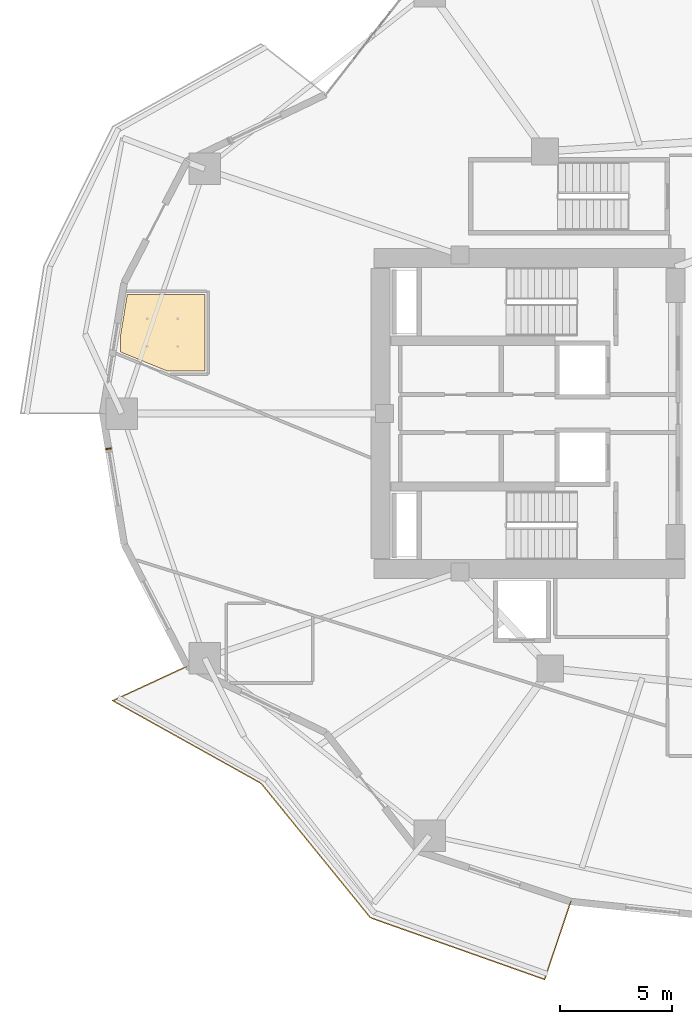
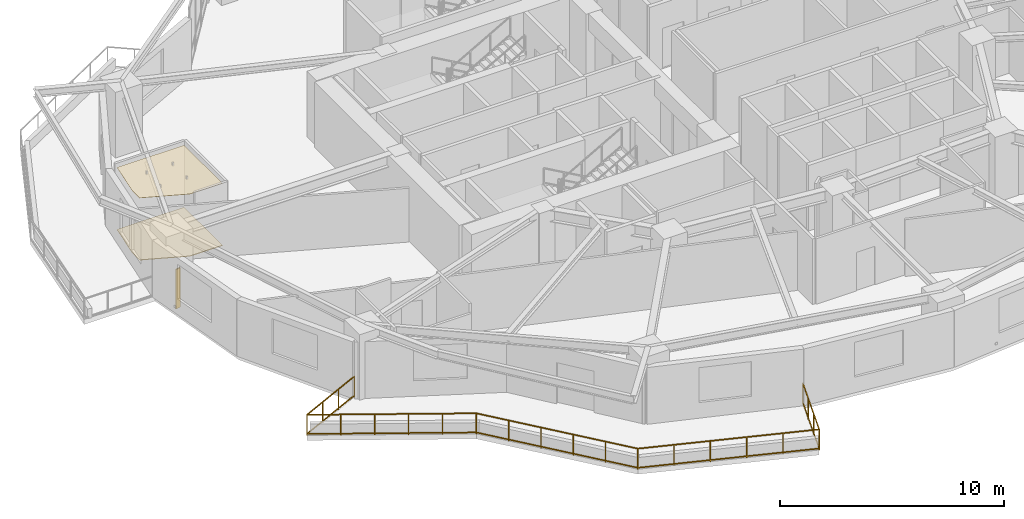
# One storey, part 14 of 18: 2 coverings, 1 railing, 1 shading device.
"""IFC4 building model written with IfcOpenShell, lengths in metres."""

import ifcopenshell
import ifcopenshell.guid

model = None  # the IFC model being written
_history = None  # IfcOwnerHistory: only IFC2X3 demands one
_inside = {}  # id of a spatial element -> (the spatial element, [elements in it])
_under = {}  # id of a project, library or spatial element -> (it, [spatial elements below it])
_declared = {}  # id of a project -> (the project, [libraries it declares])
_typed = {}  # id of a type object -> (the type object, [elements of that type])
_made_of = {}  # id of a material, layer set ... -> (it, [elements and type objects made of it])


def new_model(schema):
    """Start an empty IFC model of exactly this schema.

    Asked for "IFC4X3", IfcOpenShell would pick the latest addendum, in which some entities
    have other attributes; the version numbers below select the first issue.
    IFC2X3 requires an IfcOwnerHistory on every rooted entity: one is made here for all.
    """
    global model, _history
    if schema == "IFC4X3":
        model = ifcopenshell.file(schema_version=(4, 3, 0, 0))
    else:
        model = ifcopenshell.file(schema=schema)
    _inside.clear()
    _under.clear()
    _declared.clear()
    _typed.clear()
    _made_of.clear()
    _history = None
    if model.schema == "IFC2X3":
        org = make("IfcOrganization", Name="unknown")
        user = make(
            "IfcPersonAndOrganization",
            ThePerson=make("IfcPerson", FamilyName="unknown"),
            TheOrganization=org,
        )
        app = make(
            "IfcApplication",
            ApplicationDeveloper=org,
            Version="unknown",
            ApplicationFullName="unknown",
            ApplicationIdentifier="unknown",
        )
        _history = make(
            "IfcOwnerHistory",
            OwningUser=user,
            OwningApplication=app,
            ChangeAction="ADDED",
            CreationDate=0,
        )
    return model


def make(cls, **values):
    """One entity of the class cls with the attributes given. An attribute that is None is left unset."""
    return model.create_entity(
        cls, **{name: value for name, value in values.items() if value is not None}
    )


def rooted(cls, **values):
    """An entity with a GlobalId (a new one), such as an element, a storey or a relation."""
    return make(cls, GlobalId=ifcopenshell.guid.new(), OwnerHistory=_history, **values)


def si_unit(unit_type, name, prefix=None):
    """IfcSIUnit, for example si_unit("LENGTHUNIT", "METRE", prefix="MILLI")."""
    return make("IfcSIUnit", UnitType=unit_type, Prefix=prefix, Name=name)


def assignment(units):
    """IfcUnitAssignment: the units of a project."""
    return None if units is None else make("IfcUnitAssignment", Units=units)


def point(xyz):
    """IfcCartesianPoint."""
    return None if xyz is None else make("IfcCartesianPoint", Coordinates=xyz)


def direction(xyz):
    """IfcDirection."""
    return None if xyz is None else make("IfcDirection", DirectionRatios=xyz)


def frame(location, z_axis=None, x_axis=None):
    """IfcAxis2Placement3D, a coordinate frame: its origin and axes. An axis left out is left unset."""
    return make(
        "IfcAxis2Placement3D",
        Location=point(location),
        Axis=direction(z_axis),
        RefDirection=direction(x_axis),
    )


def frame_2d(location, x_axis=None):
    """IfcAxis2Placement2D, a coordinate frame in the plane: its origin and x axis."""
    return make(
        "IfcAxis2Placement2D", Location=point(location), RefDirection=direction(x_axis)
    )


def origin():
    """The frame at (0, 0, 0) with its axes left unset."""
    return frame((0.0, 0.0, 0.0))


def origin_2d():
    """The frame at (0, 0) in the plane with its x axis left unset."""
    return frame_2d((0.0, 0.0))


def place(relative_to, where):
    """IfcLocalPlacement: puts the frame where relative to a parent placement (None: the world)."""
    return make(
        "IfcLocalPlacement", PlacementRelTo=relative_to, RelativePlacement=where
    )


def context(
    kind, dimensions, precision=None, world=None, true_north=None, identifier=None
):
    """IfcGeometricRepresentationContext, for example the 3D "Model" context."""
    return make(
        "IfcGeometricRepresentationContext",
        ContextIdentifier=identifier,
        ContextType=kind,
        CoordinateSpaceDimension=dimensions,
        Precision=precision,
        WorldCoordinateSystem=world,
        TrueNorth=true_north,
    )


def subcontext(parent, identifier, kind, view, scale=None):
    """IfcGeometricRepresentationSubContext, for example "Body" below "Model"."""
    return make(
        "IfcGeometricRepresentationSubContext",
        ContextIdentifier=identifier,
        ContextType=kind,
        ParentContext=parent,
        TargetScale=scale,
        TargetView=view,
    )


def project(units=None, contexts=None):
    """IfcProject with its units and contexts."""
    return rooted(
        "IfcProject",
        Name="project",
        RepresentationContexts=contexts,
        UnitsInContext=assignment(units),
    )


def spatial(cls, under=None, at=None, **own):
    """A site, building, storey or space (cls), placed at a placement, below another one or the project."""
    s = rooted(cls, ObjectPlacement=at, **own)
    if under is not None:
        _under.setdefault(under.id(), (under, []))[1].append(s)
    return s


def polyline(points):
    """IfcPolyline through the points."""
    return make("IfcPolyline", Points=[point(p) for p in points])


def profile(cls, at=None, kind="AREA", **sizes):
    """A parametric profile (cls). Its sizes go by their IFC names, for example OverallWidth=200.0."""
    return make(cls, ProfileType=kind, Position=at, **sizes)


def rectangle(**sizes):
    """IfcRectangleProfileDef."""
    return profile("IfcRectangleProfileDef", **sizes)


def outline(outer, holes=None, kind="AREA"):
    """IfcArbitraryClosedProfileDef: a profile drawn as a closed curve; with holes, ...WithVoids."""
    if holes is None:
        return make("IfcArbitraryClosedProfileDef", ProfileType=kind, OuterCurve=outer)
    return make(
        "IfcArbitraryProfileDefWithVoids",
        ProfileType=kind,
        OuterCurve=outer,
        InnerCurves=holes,
    )


def extrude(swept, where, along, depth):
    """IfcExtrudedAreaSolid: the profile swept, set in the frame where, extruded along a direction by depth."""
    return make(
        "IfcExtrudedAreaSolid",
        SweptArea=swept,
        Position=where,
        ExtrudedDirection=direction(along),
        Depth=depth,
    )


def shape(context_of_items, identifier, shape_type, items):
    """IfcShapeRepresentation: the items that make up one representation, for example the "Body"."""
    return make(
        "IfcShapeRepresentation",
        ContextOfItems=context_of_items,
        RepresentationIdentifier=identifier,
        RepresentationType=shape_type,
        Items=items,
    )


def material(Name=None, Category=None):
    """IfcMaterial."""
    return make("IfcMaterial", Name=Name, Category=Category)


def layer(
    of_material, thickness, ventilated=None, Name=None, Category=None, Priority=None
):
    """IfcMaterialLayer: one layer of a wall or slab, of a material (None: an air gap)."""
    return make(
        "IfcMaterialLayer",
        Material=of_material,
        LayerThickness=thickness,
        IsVentilated=ventilated,
        Name=Name,
        Category=Category,
        Priority=Priority,
    )


def layer_set(layers, Name=None):
    """IfcMaterialLayerSet."""
    return make("IfcMaterialLayerSet", MaterialLayers=layers, LayerSetName=Name)


def made_of(thing, what):
    """Note that an element or type object is made of a material, layer set ...; save() writes the relation."""
    if what is not None:
        _made_of.setdefault(what.id(), (what, []))[1].append(thing)
    return thing


def type_object(cls, material=None, **own):
    """A type object (cls), such as IfcWallType, which elements share."""
    return made_of(rooted(cls, **own), material)


def element(
    cls,
    number,
    at=None,
    inside=None,
    cuts=None,
    type_object=None,
    material=None,
    context=None,
    identifier="Body",
    shape_type=None,
    held_by="IfcProductDefinitionShape",
    body=None,
    shapes=None,
    **own,
):
    """One element of the class cls, such as IfcWall. Its Tag is "e" and its number.

    at: its placement. inside: the storey or other place that contains it. cuts: it is an
    opening in that element (IfcRelVoidsElement). A single representation is given by context,
    identifier, shape_type and body (its items); several are given by shapes. held_by: the class
    of the entity that holds the representations. save() writes the other relations.
    """
    e = rooted(cls, Tag="e%d" % number, ObjectPlacement=at, **own)
    if body is not None:
        shapes = [shape(context, identifier, shape_type, body)]
    if shapes is not None:
        e.Representation = make(held_by, Representations=shapes)
    if inside is not None:
        _inside.setdefault(inside.id(), (inside, []))[1].append(e)
    if cuts is not None:
        rooted(
            "IfcRelVoidsElement", RelatingBuildingElement=cuts, RelatedOpeningElement=e
        )
    if type_object is not None:
        _typed.setdefault(type_object.id(), (type_object, []))[1].append(e)
    return made_of(e, material)


def aggregate(whole, parts):
    """IfcRelAggregates: a whole, such as a stair, and the parts it consists of."""
    return rooted("IfcRelAggregates", RelatingObject=whole, RelatedObjects=parts)


def save(model, path):
    """Write the relations noted so far, then the file.

    IfcRelAggregates (storeys below a building ...), IfcRelContainedInSpatialStructure (elements
    in a storey), IfcRelDefinesByType, IfcRelAssociatesMaterial and IfcRelDeclares: one each for
    every whole, place, type object, material and project.
    """
    for whole, parts in _under.values():
        aggregate(whole, parts)
    for where, things in _inside.values():
        rooted(
            "IfcRelContainedInSpatialStructure",
            RelatedElements=things,
            RelatingStructure=where,
        )
    for kind, things in _typed.values():
        rooted("IfcRelDefinesByType", RelatedObjects=things, RelatingType=kind)
    for what, things in _made_of.values():
        rooted("IfcRelAssociatesMaterial", RelatedObjects=things, RelatingMaterial=what)
    for by, libraries in _declared.values():
        rooted("IfcRelDeclares", RelatingContext=by, RelatedDefinitions=libraries)
    model.write(path)


model = new_model("IFC4")

# Units and contexts
model_context = context("Model", 3, precision=1e-05, world=origin(), true_north=direction((0.0, 1.0)))
body_context = subcontext(model_context, "Body", "Model", "MODEL_VIEW")
ifc_project = project(units=[si_unit("LENGTHUNIT", "METRE"), si_unit("AREAUNIT", "SQUARE_METRE"), si_unit("VOLUMEUNIT", "CUBIC_METRE"), si_unit("PLANEANGLEUNIT", "RADIAN"), si_unit("MASSUNIT", "GRAM", prefix="KILO")], contexts=[model_context])

# Site, building, storey
site_placement = place(None, origin())
site = spatial("IfcSite", under=ifc_project, at=site_placement, CompositionType="ELEMENT")
building_placement = place(site_placement, origin())
building = spatial("IfcBuilding", under=site, at=building_placement, Name="Kolvaren Gate Tower and Convention Centre", CompositionType="ELEMENT")
storey_placement = place(building_placement, frame((0.0, 0.0, 30.35009765625)))
storey = spatial("IfcBuildingStorey", under=building, at=storey_placement, Name="L06", CompositionType="ELEMENT", Elevation=30.35009765625)

# Coverings
ifc_material_1 = material(Name="Perforated Mineral-Fibre Acoustic Ceiling Tile 18 mm", Category="gypsum")
ifc_layer_1 = layer(ifc_material_1, 0.01806640625)
ifc_layer_set_1 = layer_set([ifc_layer_1], Name="Perforated Mineral-Fibre Acoustic Ceiling Tile 18 mm")
covering_type_1 = type_object("IfcCoveringType", Name="ARCH-COV-CEIL-18", PredefinedType="CEILING", material=ifc_layer_set_1)
covering_1_placement = place(storey_placement, frame((0.0, 0.0, 3.389892578125)))
element("IfcCovering", 1, at=covering_1_placement, inside=storey, type_object=covering_type_1, Name="Cellular Office Acoustic Suspended Ceiling", PredefinedType="CEILING", context=body_context, shape_type="SweptSolid", body=[
    extrude(outline(polyline([(6.555908203125, 32.31005859375), (6.555908203125, 28.889892578125), (4.87890625, 28.889892578125), (2.785888671875, 29.7470703125), (2.785888671875, 30.422119140625), (3.096923828125, 32.31005859375), (6.555908203125, 32.31005859375)])), origin(), (0.0, 0.0, 1.0), 0.01806640625),
])
ifc_material_2 = material(Name="Honed Sabana Limestone Terrazzo Flooring 30 mm", Category="masonry")
ifc_layer_2 = layer(ifc_material_2, 0.030029296875)
ifc_layer_set_2 = layer_set([ifc_layer_2], Name="Honed Sabana Limestone Terrazzo Flooring 30 mm")
covering_type_2 = type_object("IfcCoveringType", Name="ARCH-COV-FLR-30", PredefinedType="FLOORING", material=ifc_layer_set_2)
covering_2_placement = place(storey_placement, origin())
element("IfcCovering", 2, at=covering_2_placement, inside=storey, type_object=covering_type_2, Name="Cellular Office Interior Finish Flooring", PredefinedType="FLOORING", context=body_context, shape_type="SweptSolid", body=[
    extrude(outline(polyline([(6.555908203125, 32.31005859375), (6.555908203125, 28.889892578125), (4.87890625, 28.889892578125), (2.785888671875, 29.7470703125), (2.785888671875, 30.422119140625), (3.096923828125, 32.31005859375), (6.555908203125, 32.31005859375)])), origin(), (0.0, 0.0, 1.0), 0.02978515625),
])

# Railing
ifc_material_3 = material(Name="Brushed Stainless Steel Grade 316L", Category="steel")
railing_type = type_object("IfcRailingType", Name="ARCH-RL-GUARD-1150", PredefinedType="GUARDRAIL", material=ifc_material_3)
railing_placement = place(storey_placement, frame((5.76806640625, 15.75, 0.0)))
element("IfcRailing", 3, at=railing_placement, inside=storey, type_object=railing_type, Name="Tower L06 Terrace Perimeter Guardrail GR-3", PredefinedType="GUARDRAIL", context=body_context, shape_type="SweptSolid", body=[
    extrude(rectangle(XDim=0.048095703125, YDim=0.048095703125, at=origin_2d()), frame((-0.025390625, -0.01171875, 1.1259765625), z_axis=(-0.907846116663, -0.419303503993, 0.0), x_axis=(0.419303503993, -0.907846116663, 0.0)), (0.0, 0.0, 1.0), 3.60400390625),
    extrude(rectangle(XDim=0.048095703125, YDim=0.048095703125, at=origin_2d()), frame((-0.025390625, -0.01171875, 0.083984375), z_axis=(-0.907846116663, -0.419303503993, 0.0), x_axis=(0.419303503993, -0.907846116663, 0.0)), (0.0, 0.0, 1.0), 3.60400390625),
    extrude(rectangle(XDim=0.048095703125, YDim=0.048095703125, at=origin_2d()), frame((-3.29833984375, -1.54833984375, 1.1259765625), z_axis=(0.873486390754, -0.486848564923, 0.0), x_axis=(0.486848564923, 0.873486390754, 0.0)), (0.0, 0.0, 1.0), 7.506103515625),
    extrude(rectangle(XDim=0.048095703125, YDim=0.048095703125, at=origin_2d()), frame((-3.29833984375, -1.54833984375, 0.083984375), z_axis=(0.873486390754, -0.486848564923, 0.0), x_axis=(0.486848564923, 0.873486390754, 0.0)), (0.0, 0.0, 1.0), 7.506103515625),
    extrude(rectangle(XDim=0.048095703125, YDim=0.048095703125, at=origin_2d()), frame((3.30029296875, -5.238037109375, 1.1259765625), z_axis=(0.631012936188, -0.775772308324, 0.0), x_axis=(0.775772308324, 0.631012936188, 0.0)), (0.0, 0.0, 1.0), 7.661376953125),
    extrude(rectangle(XDim=0.048095703125, YDim=0.048095703125, at=origin_2d()), frame((3.30029296875, -5.238037109375, 0.083984375), z_axis=(0.631012936188, -0.775772308324, 0.0), x_axis=(0.775772308324, 0.631012936188, 0.0)), (0.0, 0.0, 1.0), 7.661376953125),
    extrude(rectangle(XDim=0.048095703125, YDim=0.048095703125, at=origin_2d()), frame((8.178955078125, -11.212646484375, 1.1259765625), z_axis=(0.942581348797, -0.333976647237, 0.0), x_axis=(0.333976647237, 0.942581348797, 0.0)), (0.0, 0.0, 1.0), 8.179443359375),
    extrude(rectangle(XDim=0.048095703125, YDim=0.048095703125, at=origin_2d()), frame((8.178955078125, -11.212646484375, 0.083984375), z_axis=(0.942581348797, -0.333976647237, 0.0), x_axis=(0.333976647237, 0.942581348797, 0.0)), (0.0, 0.0, 1.0), 8.179443359375),
    extrude(rectangle(XDim=0.048095703125, YDim=0.048095703125, at=origin_2d()), frame((15.924072265625, -13.92724609375, 1.1259765625), z_axis=(0.317588247294, 0.948228719867, 0.0), x_axis=(-0.948228719867, 0.317588247294, 0.0)), (0.0, 0.0, 1.0), 3.603759765625),
    extrude(rectangle(XDim=0.048095703125, YDim=0.048095703125, at=origin_2d()), frame((15.924072265625, -13.92724609375, 0.083984375), z_axis=(0.317588247294, 0.948228719867, 0.0), x_axis=(-0.948228719867, 0.317588247294, 0.0)), (0.0, 0.0, 1.0), 3.603759765625),
    extrude(rectangle(XDim=0.0419921875, YDim=0.0419921875, at=origin_2d()), origin(), (0.0, 0.0, 1.0), 1.14990234375),
    extrude(rectangle(XDim=0.0419921875, YDim=0.0419921875, at=origin_2d()), frame((-3.32275390625, -1.53466796875, 0.0)), (0.0, 0.0, 1.0), 1.14990234375),
    extrude(rectangle(XDim=0.0419921875, YDim=0.0419921875, at=origin_2d()), frame((-1.107666015625, -0.511474609375, 0.0)), (0.0, 0.0, 1.0), 1.099853515625),
    extrude(rectangle(XDim=0.0419921875, YDim=0.0419921875, at=origin_2d()), frame((-2.215087890625, -1.023193359375, 0.0)), (0.0, 0.0, 1.0), 1.099853515625),
    extrude(rectangle(XDim=0.0419921875, YDim=0.0419921875, at=origin_2d()), frame((3.28271484375, -5.21630859375, 0.0)), (0.0, 0.0, 1.0), 1.14990234375),
    extrude(rectangle(XDim=0.0419921875, YDim=0.0419921875, at=origin_2d()), frame((-2.001708984375, -2.27099609375, 0.0)), (0.0, 0.0, 1.0), 1.099853515625),
    extrude(rectangle(XDim=0.0419921875, YDim=0.0419921875, at=origin_2d()), frame((-0.6806640625, -3.00732421875, 0.0)), (0.0, 0.0, 1.0), 1.099853515625),
    extrude(rectangle(XDim=0.0419921875, YDim=0.0419921875, at=origin_2d()), frame((0.640625, -3.74365234375, 0.0)), (0.0, 0.0, 1.0), 1.099853515625),
    extrude(rectangle(XDim=0.0419921875, YDim=0.0419921875, at=origin_2d()), frame((1.961669921875, -4.47998046875, 0.0)), (0.0, 0.0, 1.0), 1.099853515625),
    extrude(rectangle(XDim=0.0419921875, YDim=0.0419921875, at=origin_2d()), frame((8.152587890625, -11.203369140625, 0.0)), (0.0, 0.0, 1.0), 1.14990234375),
    extrude(rectangle(XDim=0.0419921875, YDim=0.0419921875, at=origin_2d()), frame((4.256591796875, -6.413818359375, 0.0)), (0.0, 0.0, 1.0), 1.099853515625),
    extrude(rectangle(XDim=0.0419921875, YDim=0.0419921875, at=origin_2d()), frame((5.230712890625, -7.611083984375, 0.0)), (0.0, 0.0, 1.0), 1.099853515625),
    extrude(rectangle(XDim=0.0419921875, YDim=0.0419921875, at=origin_2d()), frame((6.20458984375, -8.80859375, 0.0)), (0.0, 0.0, 1.0), 1.099853515625),
    extrude(rectangle(XDim=0.0419921875, YDim=0.0419921875, at=origin_2d()), frame((7.1787109375, -10.005859375, 0.0)), (0.0, 0.0, 1.0), 1.099853515625),
    extrude(rectangle(XDim=0.0419921875, YDim=0.0419921875, at=origin_2d()), frame((15.915283203125, -13.953857421875, 0.0)), (0.0, 0.0, 1.0), 1.14990234375),
    extrude(rectangle(XDim=0.0419921875, YDim=0.0419921875, at=origin_2d()), frame((9.705078125, -11.75341796875, 0.0)), (0.0, 0.0, 1.0), 1.099853515625),
    extrude(rectangle(XDim=0.0419921875, YDim=0.0419921875, at=origin_2d()), frame((11.257568359375, -12.303466796875, 0.0)), (0.0, 0.0, 1.0), 1.099853515625),
    extrude(rectangle(XDim=0.0419921875, YDim=0.0419921875, at=origin_2d()), frame((12.810302734375, -12.853759765625, 0.0)), (0.0, 0.0, 1.0), 1.099853515625),
    extrude(rectangle(XDim=0.0419921875, YDim=0.0419921875, at=origin_2d()), frame((14.36279296875, -13.40380859375, 0.0)), (0.0, 0.0, 1.0), 1.099853515625),
    extrude(rectangle(XDim=0.0419921875, YDim=0.0419921875, at=origin_2d()), frame((17.07763671875, -10.4833984375, 0.0)), (0.0, 0.0, 1.0), 1.14990234375),
    extrude(rectangle(XDim=0.0419921875, YDim=0.0419921875, at=origin_2d()), frame((16.302734375, -12.797119140625, 0.0)), (0.0, 0.0, 1.0), 1.099853515625),
    extrude(rectangle(XDim=0.0419921875, YDim=0.0419921875, at=origin_2d()), frame((16.690185546875, -11.64013671875, 0.0)), (0.0, 0.0, 1.0), 1.099853515625),
])

# Shading device
ifc_material_4 = material(Name="Kiln-Fired Bogota Terracotta Ceramic Louvre Profile", Category="masonry")
shading_device_type = type_object("IfcShadingDeviceType", Name="ARCH-SHD-FIN-180", PredefinedType="JALOUSIE", material=ifc_material_4)
shading_device_placement = place(storey_placement, frame((2.25830078125, 25.43017578125, 0.219970703125), z_axis=(0.0, 0.0, 1.0), x_axis=(0.162377123682, -0.986728772108, 0.0)))
element("IfcShadingDevice", 4, at=shading_device_placement, inside=storey, type_object=shading_device_type, Name="Ceramic Vertical Brise-Soleil Fin FN-L06-12", PredefinedType="JALOUSIE", context=body_context, shape_type="SweptSolid", body=[
    extrude(rectangle(XDim=0.06005859375, YDim=0.239990234375, at=origin_2d()), origin(), (0.0, 0.0, 1.0), 2.14990234375),
])

save(model, "model.ifc")
